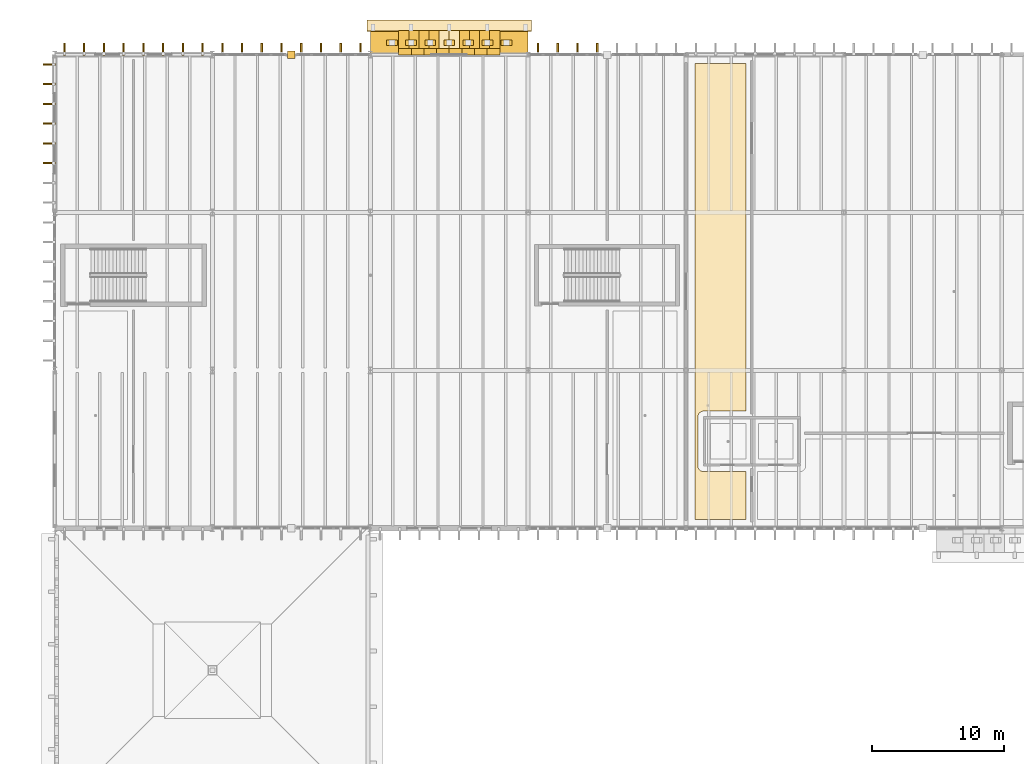
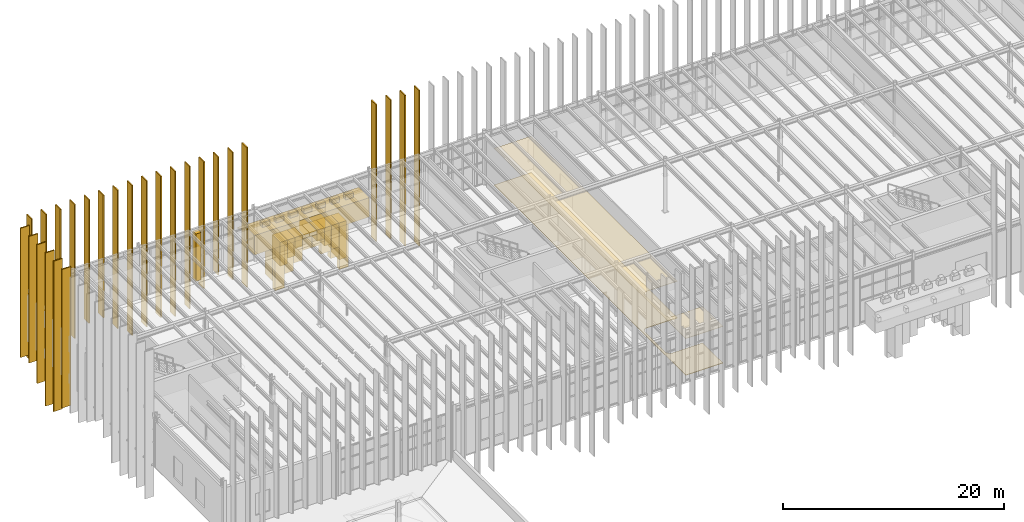
# One storey, part 65 of 83: 56 coverings.
"""IFC4 building model written with IfcOpenShell, lengths in metres."""

from ifc_helpers import new_model, si_unit, direction, frame, origin, place, context, subcontext, project, spatial, polyline, outline, extrude, material, layer, layer_set, type_object, element, save


model = new_model("IFC4")

# Units and contexts
model_context = context("Model", 3, precision=1e-05, world=origin(), true_north=direction((0.0, 1.0)))
body_context = subcontext(model_context, "Body", "Model", "MODEL_VIEW")
ifc_project = project(units=[si_unit("LENGTHUNIT", "METRE"), si_unit("AREAUNIT", "SQUARE_METRE"), si_unit("VOLUMEUNIT", "CUBIC_METRE"), si_unit("PLANEANGLEUNIT", "RADIAN"), si_unit("MASSUNIT", "GRAM", prefix="KILO")], contexts=[model_context])

# Site, building, storey
site_placement = place(None, origin())
site = spatial("IfcSite", under=ifc_project, at=site_placement, CompositionType="ELEMENT")
building_placement = place(site_placement, origin())
building = spatial("IfcBuilding", under=site, at=building_placement, Name="Zlatogorsky Bluff Art Gallery", CompositionType="ELEMENT")
storey_placement = place(building_placement, frame((0.0, 0.0, 10.800048828125)))
storey = spatial("IfcBuildingStorey", under=building, at=storey_placement, Name="L02", CompositionType="ELEMENT", Elevation=10.800048828125)

# Coverings
ifc_material_1 = material(Name="Perforated Gypsum Acoustic Board", Category="gypsum")
ifc_layer_1 = layer(ifc_material_1, 0.0400390625)
ifc_layer_set_1 = layer_set([ifc_layer_1], Name="Acoustic Gallery Ceiling CLG-01")
covering_type_1 = type_object("IfcCoveringType", Name="Acoustic Gallery Ceiling CLG-01", PredefinedType="CEILING", material=ifc_layer_set_1)
covering_1_placement = place(storey_placement, frame((0.0, 0.0, 4.050048828125)))
element("IfcCovering", 1, at=covering_1_placement, inside=storey, type_object=covering_type_1, Name="Mughal Miniature and Decorative Arts Gallery acoustic ceiling", PredefinedType="CEILING", context=body_context, shape_type="SweptSolid", body=[
    extrude(outline(polyline([(52.550048828125, 84.669921875), (48.669921875, 84.669921875), (48.669921875, 119.330078125), (52.550048828125, 119.330078125), (52.550048828125, 92.89990234375), (49.35009765625, 92.89990234375), (49.305908203125, 92.897705078125), (49.26220703125, 92.891357421875), (49.219482421875, 92.880615234375), (49.177734375, 92.86572265625), (49.137939453125, 92.846923828125), (49.10009765625, 92.82421875), (49.064453125, 92.7978515625), (49.03173828125, 92.768310546875), (49.002197265625, 92.735595703125), (48.975830078125, 92.699951171875), (48.953125, 92.662109375), (48.934326171875, 92.622314453125), (48.91943359375, 92.58056640625), (48.90869140625, 92.537841796875), (48.902099609375, 92.494140625), (48.89990234375, 92.449951171875), (48.89990234375, 88.75), (48.902099609375, 88.705810546875), (48.90869140625, 88.662109375), (48.91943359375, 88.619384765625), (48.934326171875, 88.577880859375), (48.953125, 88.537841796875), (48.975830078125, 88.5), (49.002197265625, 88.464599609375), (49.03173828125, 88.431884765625), (49.064453125, 88.402099609375), (49.10009765625, 88.375732421875), (49.137939453125, 88.35302734375), (49.177734375, 88.334228515625), (49.219482421875, 88.3193359375), (49.26220703125, 88.30859375), (49.305908203125, 88.30224609375), (49.35009765625, 88.300048828125), (52.550048828125, 88.300048828125), (52.550048828125, 84.669921875)])), origin(), (0.0, 0.0, 1.0), 0.039794921875),
])
ifc_material_2 = material(Name="Honed Red Agra-Tone Quartzitic Sandstone", Category="masonry")
ifc_layer_2 = layer(ifc_material_2, 0.1201171875)
ifc_layer_set_2 = layer_set([ifc_layer_2], Name="Carved Sandstone Cladding CLD-02")
covering_type_2 = type_object("IfcCoveringType", Name="Carved Sandstone Cladding CLD-02", PredefinedType="CLADDING", material=ifc_layer_set_2)
covering_2_placement = place(storey_placement, frame((0.0, 0.0, -0.030029296875)))
element("IfcCovering", 2, at=covering_2_placement, inside=storey, type_object=covering_type_2, Name="Mughal dalan central sandstone pier L02 N 1.10", PredefinedType="CLADDING", context=body_context, shape_type="SweptSolid", body=[
    extrude(outline(polyline([(17.719970703125, 119.719970703125), (18.280029296875, 119.719970703125), (18.280029296875, 120.280029296875), (17.719970703125, 120.280029296875), (17.719970703125, 119.719970703125)])), origin(), (0.0, 0.0, 1.0), 5.239990234375),
])
covering_3_placement = place(storey_placement, frame((0.0, 0.0, 0.550048828125)))
element("IfcCovering", 3, at=covering_3_placement, inside=storey, type_object=covering_type_2, Name="Pishtaq portal crown entablature PISHTAQ-N-MAIN", PredefinedType="CLADDING", context=body_context, shape_type="SweptSolid", body=[
    extrude(outline(polyline([(24.0, 119.9599609375), (36.0, 119.9599609375), (36.0, 121.85009765625), (24.0, 121.85009765625), (24.0, 119.9599609375)])), origin(), (0.0, 0.0, 1.0), 2.14990234375),
])
covering_4_placement = place(storey_placement, frame((0.0, 0.0, -3.41748046875)))
element("IfcCovering", 4, at=covering_4_placement, inside=storey, type_object=covering_type_2, Name="Pointed Mughal arch voussoir spandrel PISHTAQ-N-MAIN-ARCH.1", PredefinedType="CLADDING", context=body_context, shape_type="SweptSolid", body=[
    extrude(outline(polyline([(26.159912109375, 120.389892578125), (26.927978515625, 120.389892578125), (26.927978515625, 121.85009765625), (26.159912109375, 121.85009765625), (26.159912109375, 120.389892578125)])), origin(), (0.0, 0.0, 1.0), 4.0673828125),
])
covering_5_placement = place(storey_placement, frame((0.0, 0.0, -1.98193359375)))
element("IfcCovering", 5, at=covering_5_placement, inside=storey, type_object=covering_type_2, Name="Pointed Mughal arch voussoir spandrel PISHTAQ-N-MAIN-ARCH.2", PredefinedType="CLADDING", context=body_context, shape_type="SweptSolid", body=[
    extrude(outline(polyline([(26.927978515625, 120.389892578125), (27.696044921875, 120.389892578125), (27.696044921875, 121.85009765625), (26.927978515625, 121.85009765625), (26.927978515625, 120.389892578125)])), origin(), (0.0, 0.0, 1.0), 2.6318359375),
])
covering_6_placement = place(storey_placement, frame((0.0, 0.0, -1.36474609375)))
element("IfcCovering", 6, at=covering_6_placement, inside=storey, type_object=covering_type_2, Name="Pointed Mughal arch voussoir spandrel PISHTAQ-N-MAIN-ARCH.3", PredefinedType="CLADDING", context=body_context, shape_type="SweptSolid", body=[
    extrude(outline(polyline([(27.696044921875, 120.389892578125), (28.464111328125, 120.389892578125), (28.464111328125, 121.85009765625), (27.696044921875, 121.85009765625), (27.696044921875, 120.389892578125)])), origin(), (0.0, 0.0, 1.0), 2.0146484375),
])
covering_7_placement = place(storey_placement, frame((0.0, 0.0, -0.575927734375)))
element("IfcCovering", 7, at=covering_7_placement, inside=storey, type_object=covering_type_2, Name="Pointed Mughal arch voussoir spandrel PISHTAQ-N-MAIN-ARCH.4", PredefinedType="CLADDING", context=body_context, shape_type="SweptSolid", body=[
    extrude(outline(polyline([(28.464111328125, 120.389892578125), (29.23193359375, 120.389892578125), (29.23193359375, 121.85009765625), (28.464111328125, 121.85009765625), (28.464111328125, 120.389892578125)])), origin(), (0.0, 0.0, 1.0), 1.225830078125),
])
covering_8_placement = place(storey_placement, frame((0.0, 0.0, 0.224365234375)))
element("IfcCovering", 8, at=covering_8_placement, inside=storey, type_object=covering_type_2, Name="Pointed Mughal arch voussoir spandrel PISHTAQ-N-MAIN-ARCH.5", PredefinedType="CLADDING", context=body_context, shape_type="SweptSolid", body=[
    extrude(outline(polyline([(29.23193359375, 120.389892578125), (30.0, 120.389892578125), (30.0, 121.85009765625), (29.23193359375, 121.85009765625), (29.23193359375, 120.389892578125)])), origin(), (0.0, 0.0, 1.0), 0.425537109375),
])
covering_9_placement = place(storey_placement, frame((0.0, 0.0, 0.224365234375)))
element("IfcCovering", 9, at=covering_9_placement, inside=storey, type_object=covering_type_2, Name="Pointed Mughal arch voussoir spandrel PISHTAQ-N-MAIN-ARCH.6", PredefinedType="CLADDING", context=body_context, shape_type="SweptSolid", body=[
    extrude(outline(polyline([(30.0, 120.389892578125), (30.76806640625, 120.389892578125), (30.76806640625, 121.85009765625), (30.0, 121.85009765625), (30.0, 120.389892578125)])), origin(), (0.0, 0.0, 1.0), 0.425537109375),
])
covering_10_placement = place(storey_placement, frame((0.0, 0.0, -0.575927734375)))
element("IfcCovering", 10, at=covering_10_placement, inside=storey, type_object=covering_type_2, Name="Pointed Mughal arch voussoir spandrel PISHTAQ-N-MAIN-ARCH.7", PredefinedType="CLADDING", context=body_context, shape_type="SweptSolid", body=[
    extrude(outline(polyline([(30.76806640625, 120.389892578125), (31.535888671875, 120.389892578125), (31.535888671875, 121.85009765625), (30.76806640625, 121.85009765625), (30.76806640625, 120.389892578125)])), origin(), (0.0, 0.0, 1.0), 1.225830078125),
])
covering_11_placement = place(storey_placement, frame((0.0, 0.0, -1.36474609375)))
element("IfcCovering", 11, at=covering_11_placement, inside=storey, type_object=covering_type_2, Name="Pointed Mughal arch voussoir spandrel PISHTAQ-N-MAIN-ARCH.8", PredefinedType="CLADDING", context=body_context, shape_type="SweptSolid", body=[
    extrude(outline(polyline([(31.535888671875, 120.389892578125), (32.303955078125, 120.389892578125), (32.303955078125, 121.85009765625), (31.535888671875, 121.85009765625), (31.535888671875, 120.389892578125)])), origin(), (0.0, 0.0, 1.0), 2.0146484375),
])
covering_12_placement = place(storey_placement, frame((0.0, 0.0, -1.98193359375)))
element("IfcCovering", 12, at=covering_12_placement, inside=storey, type_object=covering_type_2, Name="Pointed Mughal arch voussoir spandrel PISHTAQ-N-MAIN-ARCH.9", PredefinedType="CLADDING", context=body_context, shape_type="SweptSolid", body=[
    extrude(outline(polyline([(32.303955078125, 120.389892578125), (33.072021484375, 120.389892578125), (33.072021484375, 121.85009765625), (32.303955078125, 121.85009765625), (32.303955078125, 120.389892578125)])), origin(), (0.0, 0.0, 1.0), 2.6318359375),
])
covering_13_placement = place(storey_placement, frame((0.0, 0.0, -3.41748046875)))
element("IfcCovering", 13, at=covering_13_placement, inside=storey, type_object=covering_type_2, Name="Pointed Mughal arch voussoir spandrel PISHTAQ-N-MAIN-ARCH.10", PredefinedType="CLADDING", context=body_context, shape_type="SweptSolid", body=[
    extrude(outline(polyline([(33.072021484375, 120.389892578125), (33.840087890625, 120.389892578125), (33.840087890625, 121.85009765625), (33.072021484375, 121.85009765625), (33.072021484375, 120.389892578125)])), origin(), (0.0, 0.0, 1.0), 4.0673828125),
])
covering_14_placement = place(storey_placement, frame((0.0, 0.0, -4.172119140625)))
element("IfcCovering", 14, at=covering_14_placement, inside=storey, type_object=covering_type_2, Name="Pointed Mughal arch voussoir spandrel PISHTAQ-N-MAIN-IWAN.1", PredefinedType="CLADDING", context=body_context, shape_type="SweptSolid", body=[
    extrude(outline(polyline([(26.159912109375, 119.969970703125), (27.1201171875, 119.969970703125), (27.1201171875, 120.4599609375), (26.159912109375, 120.4599609375), (26.159912109375, 119.969970703125)])), origin(), (0.0, 0.0, 1.0), 4.822021484375),
])
covering_15_placement = place(storey_placement, frame((0.0, 0.0, -2.636962890625)))
element("IfcCovering", 15, at=covering_15_placement, inside=storey, type_object=covering_type_2, Name="Pointed Mughal arch voussoir spandrel PISHTAQ-N-MAIN-IWAN.2", PredefinedType="CLADDING", context=body_context, shape_type="SweptSolid", body=[
    extrude(outline(polyline([(27.1201171875, 119.969970703125), (28.080078125, 119.969970703125), (28.080078125, 120.4599609375), (27.1201171875, 120.4599609375), (27.1201171875, 119.969970703125)])), origin(), (0.0, 0.0, 1.0), 3.286865234375),
])
covering_16_placement = place(storey_placement, frame((0.0, 0.0, -1.79052734375)))
element("IfcCovering", 16, at=covering_16_placement, inside=storey, type_object=covering_type_2, Name="Pointed Mughal arch voussoir spandrel PISHTAQ-N-MAIN-IWAN.3", PredefinedType="CLADDING", context=body_context, shape_type="SweptSolid", body=[
    extrude(outline(polyline([(28.080078125, 119.969970703125), (29.0400390625, 119.969970703125), (29.0400390625, 120.4599609375), (28.080078125, 120.4599609375), (28.080078125, 119.969970703125)])), origin(), (0.0, 0.0, 1.0), 2.4404296875),
])
covering_17_placement = place(storey_placement, frame((0.0, 0.0, -0.7255859375)))
element("IfcCovering", 17, at=covering_17_placement, inside=storey, type_object=covering_type_2, Name="Pointed Mughal arch voussoir spandrel PISHTAQ-N-MAIN-IWAN.4", PredefinedType="CLADDING", context=body_context, shape_type="SweptSolid", body=[
    extrude(outline(polyline([(29.0400390625, 119.969970703125), (30.0, 119.969970703125), (30.0, 120.4599609375), (29.0400390625, 120.4599609375), (29.0400390625, 119.969970703125)])), origin(), (0.0, 0.0, 1.0), 1.37548828125),
])
covering_18_placement = place(storey_placement, frame((0.0, 0.0, -0.7255859375)))
element("IfcCovering", 18, at=covering_18_placement, inside=storey, type_object=covering_type_2, Name="Pointed Mughal arch voussoir spandrel PISHTAQ-N-MAIN-IWAN.5", PredefinedType="CLADDING", context=body_context, shape_type="SweptSolid", body=[
    extrude(outline(polyline([(30.0, 119.969970703125), (30.9599609375, 119.969970703125), (30.9599609375, 120.4599609375), (30.0, 120.4599609375), (30.0, 119.969970703125)])), origin(), (0.0, 0.0, 1.0), 1.37548828125),
])
covering_19_placement = place(storey_placement, frame((0.0, 0.0, -1.79052734375)))
element("IfcCovering", 19, at=covering_19_placement, inside=storey, type_object=covering_type_2, Name="Pointed Mughal arch voussoir spandrel PISHTAQ-N-MAIN-IWAN.6", PredefinedType="CLADDING", context=body_context, shape_type="SweptSolid", body=[
    extrude(outline(polyline([(30.9599609375, 119.969970703125), (31.919921875, 119.969970703125), (31.919921875, 120.4599609375), (30.9599609375, 120.4599609375), (30.9599609375, 119.969970703125)])), origin(), (0.0, 0.0, 1.0), 2.4404296875),
])
covering_20_placement = place(storey_placement, frame((0.0, 0.0, -2.636962890625)))
element("IfcCovering", 20, at=covering_20_placement, inside=storey, type_object=covering_type_2, Name="Pointed Mughal arch voussoir spandrel PISHTAQ-N-MAIN-IWAN.7", PredefinedType="CLADDING", context=body_context, shape_type="SweptSolid", body=[
    extrude(outline(polyline([(31.919921875, 119.969970703125), (32.8798828125, 119.969970703125), (32.8798828125, 120.4599609375), (31.919921875, 120.4599609375), (31.919921875, 119.969970703125)])), origin(), (0.0, 0.0, 1.0), 3.286865234375),
])
covering_21_placement = place(storey_placement, frame((0.0, 0.0, -4.172119140625)))
element("IfcCovering", 21, at=covering_21_placement, inside=storey, type_object=covering_type_2, Name="Pointed Mughal arch voussoir spandrel PISHTAQ-N-MAIN-IWAN.8", PredefinedType="CLADDING", context=body_context, shape_type="SweptSolid", body=[
    extrude(outline(polyline([(32.8798828125, 119.969970703125), (33.840087890625, 119.969970703125), (33.840087890625, 120.4599609375), (32.8798828125, 120.4599609375), (32.8798828125, 119.969970703125)])), origin(), (0.0, 0.0, 1.0), 4.822021484375),
])
covering_22_placement = place(storey_placement, frame((23.75, 121.81005859375, 2.419921875), z_axis=(0.0, 0.383169585951, 0.923678011215), x_axis=(1.0, 0.0, 0.0)))
element("IfcCovering", 22, at=covering_22_placement, inside=storey, type_object=covering_type_2, Name="Projecting sloped Mughal chhajja stone eave PISHTAQ-N-MAIN-CHJ", PredefinedType="CLADDING", context=body_context, shape_type="SweptSolid", body=[
    extrude(outline(polyline([(0.0, 0.0), (12.5, 0.0), (12.5, 0.8875649401586398), (0.0, 0.8875649401586398), (0.0, 0.0)])), origin(), (0.0, 0.0, -1.0), 0.139892578125),
])
covering_23_placement = place(storey_placement, frame((0.0, 0.0, 2.669921875)))
element("IfcCovering", 23, at=covering_23_placement, inside=storey, type_object=covering_type_2, Name="Kangura stepped merlon base PISHTAQ-N-MAIN.1", PredefinedType="CLADDING", context=body_context, shape_type="SweptSolid", body=[
    extrude(outline(polyline([(25.239990234375, 120.695068359375), (26.06005859375, 120.695068359375), (26.06005859375, 121.114990234375), (25.239990234375, 121.114990234375), (25.239990234375, 120.695068359375)])), origin(), (0.0, 0.0, 1.0), 0.538330078125),
])
covering_24_placement = place(storey_placement, frame((0.0, 0.0, 2.669921875)))
element("IfcCovering", 24, at=covering_24_placement, inside=storey, type_object=covering_type_2, Name="Kangura stepped merlon base PISHTAQ-N-MAIN.2", PredefinedType="CLADDING", context=body_context, shape_type="SweptSolid", body=[
    extrude(outline(polyline([(26.68994140625, 120.695068359375), (27.510009765625, 120.695068359375), (27.510009765625, 121.114990234375), (26.68994140625, 121.114990234375), (26.68994140625, 120.695068359375)])), origin(), (0.0, 0.0, 1.0), 0.538330078125),
])
covering_25_placement = place(storey_placement, frame((0.0, 0.0, 2.669921875)))
element("IfcCovering", 25, at=covering_25_placement, inside=storey, type_object=covering_type_2, Name="Kangura stepped merlon base PISHTAQ-N-MAIN.3", PredefinedType="CLADDING", context=body_context, shape_type="SweptSolid", body=[
    extrude(outline(polyline([(28.139892578125, 120.695068359375), (28.9599609375, 120.695068359375), (28.9599609375, 121.114990234375), (28.139892578125, 121.114990234375), (28.139892578125, 120.695068359375)])), origin(), (0.0, 0.0, 1.0), 0.538330078125),
])
covering_26_placement = place(storey_placement, frame((0.0, 0.0, 2.669921875)))
element("IfcCovering", 26, at=covering_26_placement, inside=storey, type_object=covering_type_2, Name="Kangura stepped merlon base PISHTAQ-N-MAIN.4", PredefinedType="CLADDING", context=body_context, shape_type="SweptSolid", body=[
    extrude(outline(polyline([(29.590087890625, 120.695068359375), (30.409912109375, 120.695068359375), (30.409912109375, 121.114990234375), (29.590087890625, 121.114990234375), (29.590087890625, 120.695068359375)])), origin(), (0.0, 0.0, 1.0), 0.538330078125),
])
covering_27_placement = place(storey_placement, frame((0.0, 0.0, 2.669921875)))
element("IfcCovering", 27, at=covering_27_placement, inside=storey, type_object=covering_type_2, Name="Kangura stepped merlon base PISHTAQ-N-MAIN.5", PredefinedType="CLADDING", context=body_context, shape_type="SweptSolid", body=[
    extrude(outline(polyline([(31.0400390625, 120.695068359375), (31.860107421875, 120.695068359375), (31.860107421875, 121.114990234375), (31.0400390625, 121.114990234375), (31.0400390625, 120.695068359375)])), origin(), (0.0, 0.0, 1.0), 0.538330078125),
])
covering_28_placement = place(storey_placement, frame((0.0, 0.0, 2.669921875)))
element("IfcCovering", 28, at=covering_28_placement, inside=storey, type_object=covering_type_2, Name="Kangura stepped merlon base PISHTAQ-N-MAIN.6", PredefinedType="CLADDING", context=body_context, shape_type="SweptSolid", body=[
    extrude(outline(polyline([(32.489990234375, 120.695068359375), (33.31005859375, 120.695068359375), (33.31005859375, 121.114990234375), (32.489990234375, 121.114990234375), (32.489990234375, 120.695068359375)])), origin(), (0.0, 0.0, 1.0), 0.538330078125),
])
covering_29_placement = place(storey_placement, frame((0.0, 0.0, 2.669921875)))
element("IfcCovering", 29, at=covering_29_placement, inside=storey, type_object=covering_type_2, Name="Kangura stepped merlon base PISHTAQ-N-MAIN.7", PredefinedType="CLADDING", context=body_context, shape_type="SweptSolid", body=[
    extrude(outline(polyline([(33.93994140625, 120.695068359375), (34.760009765625, 120.695068359375), (34.760009765625, 121.114990234375), (33.93994140625, 121.114990234375), (33.93994140625, 120.695068359375)])), origin(), (0.0, 0.0, 1.0), 0.538330078125),
])
ifc_material_3 = material(Name="Polished Ural Marble Terrazzo", Category="masonry")
ifc_layer_3 = layer(ifc_material_3, 0.050048828125)
ifc_layer_set_3 = layer_set([ifc_layer_3], Name="Terrazzo Gallery Flooring FLR-01")
covering_type_3 = type_object("IfcCoveringType", Name="Terrazzo Gallery Flooring FLR-01", PredefinedType="FLOORING", material=ifc_layer_set_3)
covering_30_placement = place(storey_placement, origin())
element("IfcCovering", 30, at=covering_30_placement, inside=storey, type_object=covering_type_3, Name="Mughal Miniature and Decorative Arts Gallery terrazzo floor finish", PredefinedType="FLOORING", context=body_context, shape_type="SweptSolid", body=[
    extrude(outline(polyline([(52.550048828125, 84.669921875), (48.669921875, 84.669921875), (48.669921875, 119.330078125), (52.550048828125, 119.330078125), (52.550048828125, 92.89990234375), (49.35009765625, 92.89990234375), (49.305908203125, 92.897705078125), (49.26220703125, 92.891357421875), (49.219482421875, 92.880615234375), (49.177734375, 92.86572265625), (49.137939453125, 92.846923828125), (49.10009765625, 92.82421875), (49.064453125, 92.7978515625), (49.03173828125, 92.768310546875), (49.002197265625, 92.735595703125), (48.975830078125, 92.699951171875), (48.953125, 92.662109375), (48.934326171875, 92.622314453125), (48.91943359375, 92.58056640625), (48.90869140625, 92.537841796875), (48.902099609375, 92.494140625), (48.89990234375, 92.449951171875), (48.89990234375, 88.75), (48.902099609375, 88.705810546875), (48.90869140625, 88.662109375), (48.91943359375, 88.619384765625), (48.934326171875, 88.577880859375), (48.953125, 88.537841796875), (48.975830078125, 88.5), (49.002197265625, 88.464599609375), (49.03173828125, 88.431884765625), (49.064453125, 88.402099609375), (49.10009765625, 88.375732421875), (49.137939453125, 88.35302734375), (49.177734375, 88.334228515625), (49.219482421875, 88.3193359375), (49.26220703125, 88.30859375), (49.305908203125, 88.30224609375), (49.35009765625, 88.300048828125), (52.550048828125, 88.300048828125), (52.550048828125, 84.669921875)])), origin(), (0.0, 0.0, 1.0), 0.050048828125),
])
ifc_material_4 = material(Name="Patinated Architectural Bronze Fin", Category="metal")
ifc_layer_4 = layer(ifc_material_4, 0.110107421875)
ifc_layer_set_4 = layer_set([ifc_layer_4], Name="Vertical Gallery Fin FIN-01")
covering_type_4 = type_object("IfcCoveringType", Name="Vertical Gallery Fin FIN-01", PredefinedType="CLADDING", material=ifc_layer_set_4)
covering_31_placement = place(storey_placement, frame((0.0, 0.0, -3.074951171875)))
element("IfcCovering", 31, at=covering_31_placement, inside=storey, type_object=covering_type_4, Name="Lifted gallery vertical bronze fin N.072", PredefinedType="CLADDING", context=body_context, shape_type="SweptSolid", body=[
    extrude(outline(polyline([(0.68994140625, 119.9599609375), (0.81005859375, 119.9599609375), (0.81005859375, 120.8798828125), (0.68994140625, 120.8798828125), (0.68994140625, 119.9599609375)])), origin(), (0.0, 0.0, 1.0), 15.7548828125),
])
covering_32_placement = place(storey_placement, frame((0.0, 0.0, -2.129150390625)))
element("IfcCovering", 32, at=covering_32_placement, inside=storey, type_object=covering_type_4, Name="Lifted gallery vertical bronze fin N.073", PredefinedType="CLADDING", context=body_context, shape_type="SweptSolid", body=[
    extrude(outline(polyline([(2.18994140625, 119.9599609375), (2.31005859375, 119.9599609375), (2.31005859375, 120.8798828125), (2.18994140625, 120.8798828125), (2.18994140625, 119.9599609375)])), origin(), (0.0, 0.0, 1.0), 14.80908203125),
])
covering_33_placement = place(storey_placement, frame((0.0, 0.0, -2.34912109375)))
element("IfcCovering", 33, at=covering_33_placement, inside=storey, type_object=covering_type_4, Name="Lifted gallery vertical bronze fin N.074", PredefinedType="CLADDING", context=body_context, shape_type="SweptSolid", body=[
    extrude(outline(polyline([(3.68994140625, 119.9599609375), (3.81005859375, 119.9599609375), (3.81005859375, 120.8798828125), (3.68994140625, 120.8798828125), (3.68994140625, 119.9599609375)])), origin(), (0.0, 0.0, 1.0), 15.029052734375),
])
covering_34_placement = place(storey_placement, frame((0.0, 0.0, -2.10693359375)))
element("IfcCovering", 34, at=covering_34_placement, inside=storey, type_object=covering_type_4, Name="Lifted gallery vertical bronze fin N.075", PredefinedType="CLADDING", context=body_context, shape_type="SweptSolid", body=[
    extrude(outline(polyline([(5.18994140625, 119.9599609375), (5.31005859375, 119.9599609375), (5.31005859375, 120.8798828125), (5.18994140625, 120.8798828125), (5.18994140625, 119.9599609375)])), origin(), (0.0, 0.0, 1.0), 14.786865234375),
])
covering_35_placement = place(storey_placement, frame((0.0, 0.0, -0.93896484375)))
element("IfcCovering", 35, at=covering_35_placement, inside=storey, type_object=covering_type_4, Name="Lifted gallery vertical bronze fin N.076", PredefinedType="CLADDING", context=body_context, shape_type="SweptSolid", body=[
    extrude(outline(polyline([(6.68994140625, 119.9599609375), (6.81005859375, 119.9599609375), (6.81005859375, 120.8798828125), (6.68994140625, 120.8798828125), (6.68994140625, 119.9599609375)])), origin(), (0.0, 0.0, 1.0), 13.618896484375),
])
covering_36_placement = place(storey_placement, frame((0.0, 0.0, -0.876953125)))
element("IfcCovering", 36, at=covering_36_placement, inside=storey, type_object=covering_type_4, Name="Lifted gallery vertical bronze fin N.077", PredefinedType="CLADDING", context=body_context, shape_type="SweptSolid", body=[
    extrude(outline(polyline([(8.18994140625, 119.9599609375), (8.31005859375, 119.9599609375), (8.31005859375, 120.8798828125), (8.18994140625, 120.8798828125), (8.18994140625, 119.9599609375)])), origin(), (0.0, 0.0, 1.0), 13.556884765625),
])
covering_37_placement = place(storey_placement, frame((0.0, 0.0, -2.60107421875)))
element("IfcCovering", 37, at=covering_37_placement, inside=storey, type_object=covering_type_4, Name="Lifted gallery vertical bronze fin N.078", PredefinedType="CLADDING", context=body_context, shape_type="SweptSolid", body=[
    extrude(outline(polyline([(9.68994140625, 119.9599609375), (9.81005859375, 119.9599609375), (9.81005859375, 120.8798828125), (9.68994140625, 120.8798828125), (9.68994140625, 119.9599609375)])), origin(), (0.0, 0.0, 1.0), 15.281005859375),
])
covering_38_placement = place(storey_placement, frame((0.0, 0.0, -3.881103515625)))
element("IfcCovering", 38, at=covering_38_placement, inside=storey, type_object=covering_type_4, Name="Lifted gallery vertical bronze fin N.079", PredefinedType="CLADDING", context=body_context, shape_type="SweptSolid", body=[
    extrude(outline(polyline([(11.18994140625, 119.9599609375), (11.31005859375, 119.9599609375), (11.31005859375, 120.8798828125), (11.18994140625, 120.8798828125), (11.18994140625, 119.9599609375)])), origin(), (0.0, 0.0, 1.0), 16.56103515625),
])
covering_39_placement = place(storey_placement, frame((0.0, 0.0, -3.448974609375)))
element("IfcCovering", 39, at=covering_39_placement, inside=storey, type_object=covering_type_4, Name="Lifted gallery vertical bronze fin N.080", PredefinedType="CLADDING", context=body_context, shape_type="SweptSolid", body=[
    extrude(outline(polyline([(12.68994140625, 119.9599609375), (12.81005859375, 119.9599609375), (12.81005859375, 120.8798828125), (12.68994140625, 120.8798828125), (12.68994140625, 119.9599609375)])), origin(), (0.0, 0.0, 1.0), 16.12890625),
])
covering_40_placement = place(storey_placement, frame((0.0, 0.0, -2.941162109375)))
element("IfcCovering", 40, at=covering_40_placement, inside=storey, type_object=covering_type_4, Name="Lifted gallery vertical bronze fin N.081", PredefinedType="CLADDING", context=body_context, shape_type="SweptSolid", body=[
    extrude(outline(polyline([(14.18994140625, 119.9599609375), (14.31005859375, 119.9599609375), (14.31005859375, 120.8798828125), (14.18994140625, 120.8798828125), (14.18994140625, 119.9599609375)])), origin(), (0.0, 0.0, 1.0), 15.62109375),
])
covering_41_placement = place(storey_placement, frame((0.0, 0.0, -3.33203125)))
element("IfcCovering", 41, at=covering_41_placement, inside=storey, type_object=covering_type_4, Name="Lifted gallery vertical bronze fin N.082", PredefinedType="CLADDING", context=body_context, shape_type="SweptSolid", body=[
    extrude(outline(polyline([(15.68994140625, 119.9599609375), (15.81005859375, 119.9599609375), (15.81005859375, 120.8798828125), (15.68994140625, 120.8798828125), (15.68994140625, 119.9599609375)])), origin(), (0.0, 0.0, 1.0), 16.011962890625),
])
covering_42_placement = place(storey_placement, frame((0.0, 0.0, -3.01904296875)))
element("IfcCovering", 42, at=covering_42_placement, inside=storey, type_object=covering_type_4, Name="Lifted gallery vertical bronze fin N.083", PredefinedType="CLADDING", context=body_context, shape_type="SweptSolid", body=[
    extrude(outline(polyline([(17.18994140625, 119.9599609375), (17.31005859375, 119.9599609375), (17.31005859375, 120.8798828125), (17.18994140625, 120.8798828125), (17.18994140625, 119.9599609375)])), origin(), (0.0, 0.0, 1.0), 15.698974609375),
])
covering_43_placement = place(storey_placement, frame((0.0, 0.0, -1.31201171875)))
element("IfcCovering", 43, at=covering_43_placement, inside=storey, type_object=covering_type_4, Name="Lifted gallery vertical bronze fin N.084", PredefinedType="CLADDING", context=body_context, shape_type="SweptSolid", body=[
    extrude(outline(polyline([(18.68994140625, 119.9599609375), (18.81005859375, 119.9599609375), (18.81005859375, 120.8798828125), (18.68994140625, 120.8798828125), (18.68994140625, 119.9599609375)])), origin(), (0.0, 0.0, 1.0), 13.991943359375),
])
covering_44_placement = place(storey_placement, frame((0.0, 0.0, -0.345947265625)))
element("IfcCovering", 44, at=covering_44_placement, inside=storey, type_object=covering_type_4, Name="Lifted gallery vertical bronze fin N.085", PredefinedType="CLADDING", context=body_context, shape_type="SweptSolid", body=[
    extrude(outline(polyline([(20.18994140625, 119.9599609375), (20.31005859375, 119.9599609375), (20.31005859375, 120.8798828125), (20.18994140625, 120.8798828125), (20.18994140625, 119.9599609375)])), origin(), (0.0, 0.0, 1.0), 13.02587890625),
])
covering_45_placement = place(storey_placement, frame((0.0, 0.0, -1.43310546875)))
element("IfcCovering", 45, at=covering_45_placement, inside=storey, type_object=covering_type_4, Name="Lifted gallery vertical bronze fin N.086", PredefinedType="CLADDING", context=body_context, shape_type="SweptSolid", body=[
    extrude(outline(polyline([(21.68994140625, 119.9599609375), (21.81005859375, 119.9599609375), (21.81005859375, 120.8798828125), (21.68994140625, 120.8798828125), (21.68994140625, 119.9599609375)])), origin(), (0.0, 0.0, 1.0), 14.113037109375),
])
covering_46_placement = place(storey_placement, frame((0.0, 0.0, -2.756103515625)))
element("IfcCovering", 46, at=covering_46_placement, inside=storey, type_object=covering_type_4, Name="Lifted gallery vertical bronze fin N.087", PredefinedType="CLADDING", context=body_context, shape_type="SweptSolid", body=[
    extrude(outline(polyline([(23.18994140625, 119.9599609375), (23.31005859375, 119.9599609375), (23.31005859375, 120.8798828125), (23.18994140625, 120.8798828125), (23.18994140625, 119.9599609375)])), origin(), (0.0, 0.0, 1.0), 15.43603515625),
])
covering_47_placement = place(storey_placement, frame((0.0, 0.0, -2.4130859375)))
element("IfcCovering", 47, at=covering_47_placement, inside=storey, type_object=covering_type_4, Name="Lifted gallery vertical bronze fin N.088", PredefinedType="CLADDING", context=body_context, shape_type="SweptSolid", body=[
    extrude(outline(polyline([(36.68994140625, 119.9599609375), (36.81005859375, 119.9599609375), (36.81005859375, 120.8798828125), (36.68994140625, 120.8798828125), (36.68994140625, 119.9599609375)])), origin(), (0.0, 0.0, 1.0), 15.093017578125),
])
covering_48_placement = place(storey_placement, frame((0.0, 0.0, -2.64599609375)))
element("IfcCovering", 48, at=covering_48_placement, inside=storey, type_object=covering_type_4, Name="Lifted gallery vertical bronze fin N.089", PredefinedType="CLADDING", context=body_context, shape_type="SweptSolid", body=[
    extrude(outline(polyline([(38.18994140625, 119.9599609375), (38.31005859375, 119.9599609375), (38.31005859375, 120.8798828125), (38.18994140625, 120.8798828125), (38.18994140625, 119.9599609375)])), origin(), (0.0, 0.0, 1.0), 15.325927734375),
])
covering_49_placement = place(storey_placement, frame((0.0, 0.0, -3.948974609375)))
element("IfcCovering", 49, at=covering_49_placement, inside=storey, type_object=covering_type_4, Name="Lifted gallery vertical bronze fin N.090", PredefinedType="CLADDING", context=body_context, shape_type="SweptSolid", body=[
    extrude(outline(polyline([(39.68994140625, 119.9599609375), (39.81005859375, 119.9599609375), (39.81005859375, 120.8798828125), (39.68994140625, 120.8798828125), (39.68994140625, 119.9599609375)])), origin(), (0.0, 0.0, 1.0), 16.62890625),
])
covering_50_placement = place(storey_placement, frame((0.0, 0.0, -4.489013671875)))
element("IfcCovering", 50, at=covering_50_placement, inside=storey, type_object=covering_type_4, Name="Lifted gallery vertical bronze fin N.091", PredefinedType="CLADDING", context=body_context, shape_type="SweptSolid", body=[
    extrude(outline(polyline([(41.18994140625, 119.9599609375), (41.31005859375, 119.9599609375), (41.31005859375, 120.8798828125), (41.18994140625, 120.8798828125), (41.18994140625, 119.9599609375)])), origin(), (0.0, 0.0, 1.0), 17.1689453125),
])
covering_51_placement = place(storey_placement, frame((0.0, 0.0, -2.635009765625)))
element("IfcCovering", 51, at=covering_51_placement, inside=storey, type_object=covering_type_4, Name="Lifted gallery vertical bronze fin W.154", PredefinedType="CLADDING", context=body_context, shape_type="SweptSolid", body=[
    extrude(outline(polyline([(-0.8798828125, 111.68994140625), (0.0400390625, 111.68994140625), (0.0400390625, 111.81005859375), (-0.8798828125, 111.81005859375), (-0.8798828125, 111.68994140625)])), origin(), (0.0, 0.0, 1.0), 15.31494140625),
])
covering_52_placement = place(storey_placement, frame((0.0, 0.0, -3.9541015625)))
element("IfcCovering", 52, at=covering_52_placement, inside=storey, type_object=covering_type_4, Name="Lifted gallery vertical bronze fin W.155", PredefinedType="CLADDING", context=body_context, shape_type="SweptSolid", body=[
    extrude(outline(polyline([(-0.8798828125, 113.18994140625), (0.0400390625, 113.18994140625), (0.0400390625, 113.31005859375), (-0.8798828125, 113.31005859375), (-0.8798828125, 113.18994140625)])), origin(), (0.0, 0.0, 1.0), 16.634033203125),
])
covering_53_placement = place(storey_placement, frame((0.0, 0.0, -4.2509765625)))
element("IfcCovering", 53, at=covering_53_placement, inside=storey, type_object=covering_type_4, Name="Lifted gallery vertical bronze fin W.156", PredefinedType="CLADDING", context=body_context, shape_type="SweptSolid", body=[
    extrude(outline(polyline([(-0.8798828125, 114.68994140625), (0.0400390625, 114.68994140625), (0.0400390625, 114.81005859375), (-0.8798828125, 114.81005859375), (-0.8798828125, 114.68994140625)])), origin(), (0.0, 0.0, 1.0), 16.930908203125),
])
covering_54_placement = place(storey_placement, frame((0.0, 0.0, -2.658935546875)))
element("IfcCovering", 54, at=covering_54_placement, inside=storey, type_object=covering_type_4, Name="Lifted gallery vertical bronze fin W.157", PredefinedType="CLADDING", context=body_context, shape_type="SweptSolid", body=[
    extrude(outline(polyline([(-0.8798828125, 116.18994140625), (0.0400390625, 116.18994140625), (0.0400390625, 116.31005859375), (-0.8798828125, 116.31005859375), (-0.8798828125, 116.18994140625)])), origin(), (0.0, 0.0, 1.0), 15.3388671875),
])
covering_55_placement = place(storey_placement, frame((0.0, 0.0, -1.31201171875)))
element("IfcCovering", 55, at=covering_55_placement, inside=storey, type_object=covering_type_4, Name="Lifted gallery vertical bronze fin W.158", PredefinedType="CLADDING", context=body_context, shape_type="SweptSolid", body=[
    extrude(outline(polyline([(-0.8798828125, 117.68994140625), (0.0400390625, 117.68994140625), (0.0400390625, 117.81005859375), (-0.8798828125, 117.81005859375), (-0.8798828125, 117.68994140625)])), origin(), (0.0, 0.0, 1.0), 13.991943359375),
])
covering_56_placement = place(storey_placement, frame((0.0, 0.0, -1.60693359375)))
element("IfcCovering", 56, at=covering_56_placement, inside=storey, type_object=covering_type_4, Name="Lifted gallery vertical bronze fin W.159", PredefinedType="CLADDING", context=body_context, shape_type="SweptSolid", body=[
    extrude(outline(polyline([(-0.8798828125, 119.18994140625), (0.0400390625, 119.18994140625), (0.0400390625, 119.31005859375), (-0.8798828125, 119.31005859375), (-0.8798828125, 119.18994140625)])), origin(), (0.0, 0.0, 1.0), 14.286865234375),
])

save(model, "model.ifc")
